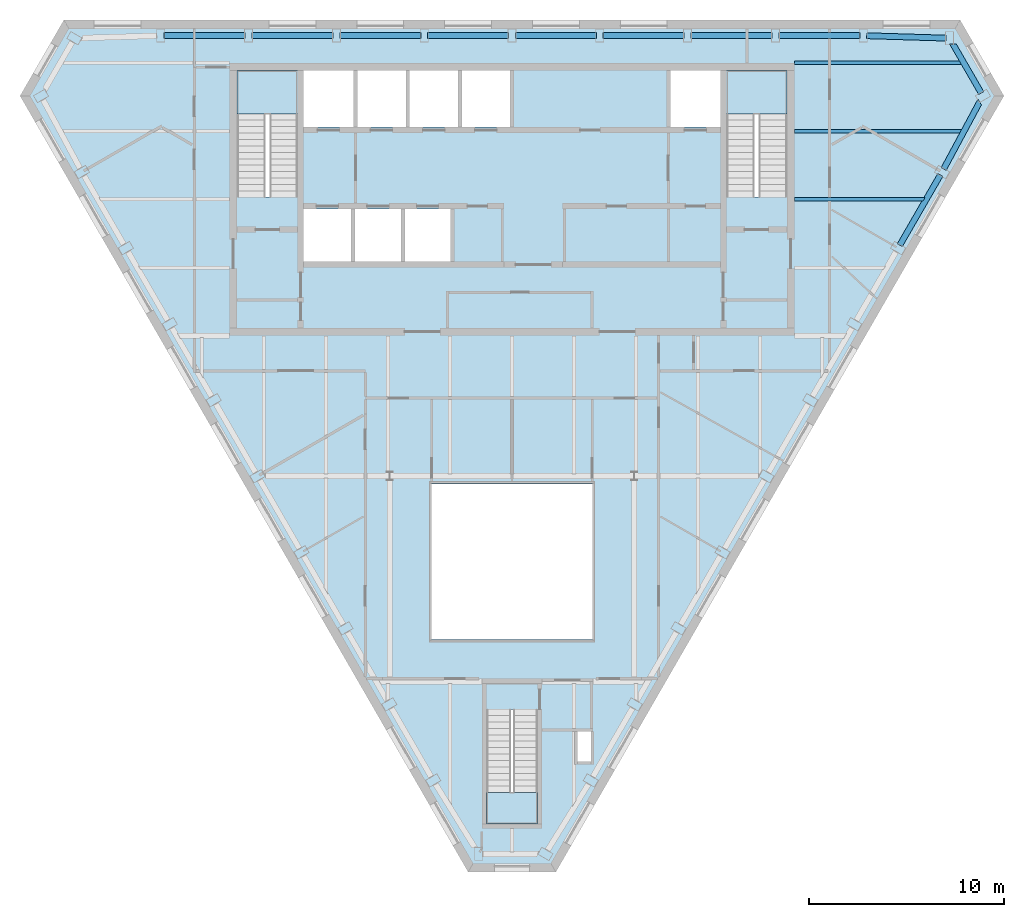
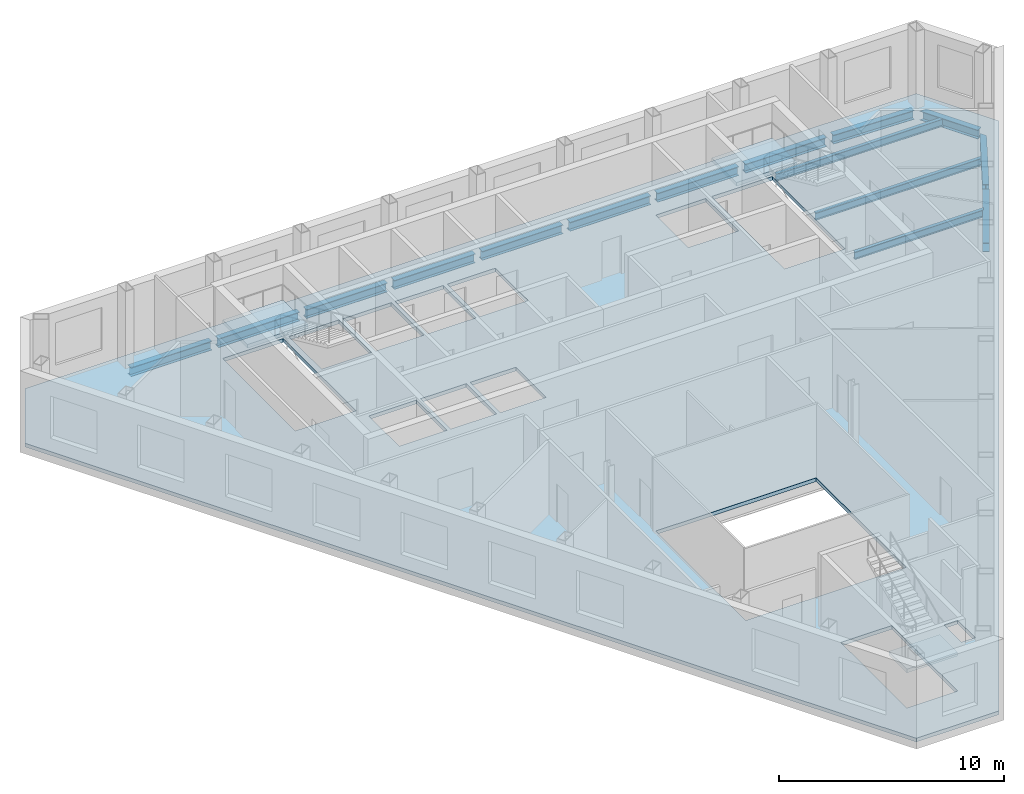
# One storey, part 3 of 11: 15 beams, 4 slabs, 3 elements without a shape of their own.
"""IFC4 building model written with IfcOpenShell, lengths in metres."""

from ifc_helpers import new_model, si_unit, direction, frame, origin, origin_2d, place, context, subcontext, project, spatial, polyline, i_section, outline, extrude, clip, halfspace, material, layer, layer_set, material_profile, profile_set, type_object, element, aggregate, save


model = new_model("IFC4")

# Units and contexts
model_context = context("Model", 3, precision=1e-05, world=origin(), true_north=direction((0.0, 1.0)))
body_context = subcontext(model_context, "Body", "Model", "MODEL_VIEW")
ifc_project = project(units=[si_unit("LENGTHUNIT", "METRE"), si_unit("AREAUNIT", "SQUARE_METRE"), si_unit("VOLUMEUNIT", "CUBIC_METRE"), si_unit("PLANEANGLEUNIT", "RADIAN"), si_unit("MASSUNIT", "GRAM", prefix="KILO")], contexts=[model_context])

# Site, building, storey
site_placement = place(None, origin())
site = spatial("IfcSite", under=ifc_project, at=site_placement, CompositionType="ELEMENT")
building_placement = place(site_placement, origin())
building = spatial("IfcBuilding", under=site, at=building_placement, Name="Njiva Tower", CompositionType="ELEMENT")
storey_placement = place(building_placement, frame((0.0, 0.0, 316.8)))
storey = spatial("IfcBuildingStorey", under=building, at=storey_placement, Name="L72", CompositionType="ELEMENT", Elevation=316.8)

# Beams
ifc_material_1 = material(Name="Steel S355 J2", Category="steel")
ifc_material_profile_1 = material_profile(ifc_material_1, i_section(OverallWidth=0.3, OverallDepth=0.49, WebThickness=0.012, FlangeThickness=0.023, at=origin_2d()), Name="HEA 500")
ifc_profile_set_1 = profile_set([ifc_material_profile_1], Name="Steel S355 J2")
beam_type_1 = type_object("IfcBeamType", Name="B48 Short-span spandrel beam HEA 500", PredefinedType="SPANDREL", material=ifc_profile_set_1)
beam_1_placement = place(storey_placement, frame((22.277, 19.272, -0.445), z_axis=(-0.999544102072, 0.030192515853, 0.0), x_axis=(-0.030192515853, -0.999544102072, 0.0)))
element("IfcBeam", 1, at=beam_1_placement, inside=storey, type_object=beam_type_1, Name="Short-span spandrel beam S24-B114", PredefinedType="SPANDREL", context=body_context, shape_type="SweptSolid", body=[
    extrude(i_section(OverallWidth=0.3, OverallDepth=0.49, WebThickness=0.012, FlangeThickness=0.023, at=origin_2d()), origin(), (0.0, 0.0, 1.0), 4.0739),
])
beam_2_placement = place(storey_placement, frame((17.851, 19.4, -0.445), z_axis=(-1.0, 0.0, 0.0), x_axis=(0.0, -1.0, 0.0)))
element("IfcBeam", 2, at=beam_2_placement, inside=storey, type_object=beam_type_1, Name="Short-span spandrel beam S24-B109", PredefinedType="SPANDREL", context=body_context, shape_type="SweptSolid", body=[
    extrude(i_section(OverallWidth=0.3, OverallDepth=0.49, WebThickness=0.012, FlangeThickness=0.023, at=origin_2d()), origin(), (0.0, 0.0, 1.0), 4.156),
])
beam_3_placement = place(storey_placement, frame((13.345, 19.4, -0.445), z_axis=(-1.0, 0.0, 0.0), x_axis=(0.0, -1.0, 0.0)))
element("IfcBeam", 3, at=beam_3_placement, inside=storey, type_object=beam_type_1, Name="Short-span spandrel beam S24-B104", PredefinedType="SPANDREL", context=body_context, shape_type="SweptSolid", body=[
    extrude(i_section(OverallWidth=0.3, OverallDepth=0.49, WebThickness=0.012, FlangeThickness=0.023, at=origin_2d()), origin(), (0.0, 0.0, 1.0), 4.157),
])
beam_4_placement = place(storey_placement, frame((8.838, 19.4, -0.445), z_axis=(-1.0, 0.0, 0.0), x_axis=(0.0, -1.0, 0.0)))
element("IfcBeam", 4, at=beam_4_placement, inside=storey, type_object=beam_type_1, Name="Short-span spandrel beam S24-B099", PredefinedType="SPANDREL", context=body_context, shape_type="SweptSolid", body=[
    extrude(i_section(OverallWidth=0.3, OverallDepth=0.49, WebThickness=0.012, FlangeThickness=0.023, at=origin_2d()), origin(), (0.0, 0.0, 1.0), 4.156),
])
for number, where, z_axis, x_axis, name in (
    (5, (4.332, 19.4, -0.445), (-1.0, 0.0, 0.0), (0.0, -1.0, 0.0), "Short-span spandrel beam S24-B094"),
    (6, (-0.175, 19.4, -0.445), (-1.0, 0.0, 0.0), (0.0, -1.0, 0.0), "Short-span spandrel beam S24-B089"),
):
    element("IfcBeam", number, at=place(storey_placement, frame(where, z_axis=z_axis, x_axis=x_axis)), inside=storey, type_object=beam_type_1, Name=name, PredefinedType="SPANDREL", context=body_context, shape_type="SweptSolid", body=[
        extrude(i_section(OverallWidth=0.3, OverallDepth=0.49, WebThickness=0.012, FlangeThickness=0.023, at=origin_2d()), origin(), (0.0, 0.0, 1.0), 4.157),
    ])
beam_5_placement = place(storey_placement, frame((-4.682, 19.4, -0.445), z_axis=(-1.0, 0.0, 0.0), x_axis=(0.0, -1.0, 0.0)))
element("IfcBeam", 7, at=beam_5_placement, inside=storey, type_object=beam_type_1, Name="Short-span spandrel beam S24-B084", PredefinedType="SPANDREL", context=body_context, shape_type="SweptSolid", body=[
    extrude(i_section(OverallWidth=0.3, OverallDepth=0.49, WebThickness=0.012, FlangeThickness=0.023, at=origin_2d()), origin(), (0.0, 0.0, 1.0), 4.156),
])
beam_6_placement = place(storey_placement, frame((-9.188, 19.4, -0.445), z_axis=(-1.0, 0.0, 0.0), x_axis=(0.0, -1.0, 0.0)))
element("IfcBeam", 8, at=beam_6_placement, inside=storey, type_object=beam_type_1, Name="Short-span spandrel beam S24-B079", PredefinedType="SPANDREL", context=body_context, shape_type="SweptSolid", body=[
    extrude(i_section(OverallWidth=0.3, OverallDepth=0.49, WebThickness=0.012, FlangeThickness=0.023, at=origin_2d()), origin(), (0.0, 0.0, 1.0), 4.157),
])
beam_7_placement = place(storey_placement, frame((-13.695, 19.4, -0.445), z_axis=(-1.0, 0.0, 0.0), x_axis=(0.0, -1.0, 0.0)))
element("IfcBeam", 9, at=beam_7_placement, inside=storey, type_object=beam_type_1, Name="Short-span spandrel beam S24-B074", PredefinedType="SPANDREL", context=body_context, shape_type="SweptSolid", body=[
    extrude(i_section(OverallWidth=0.3, OverallDepth=0.49, WebThickness=0.012, FlangeThickness=0.023, at=origin_2d()), origin(), (0.0, 0.0, 1.0), 4.156),
])
beam_8_placement = place(storey_placement, frame((19.902, 8.649, -0.445), z_axis=(0.499916824138, 0.866073420066, 0.0), x_axis=(-0.866073420066, 0.499916824138, 0.0)))
element("IfcBeam", 10, at=beam_8_placement, inside=storey, type_object=beam_type_1, Name="Short-span spandrel beam S24-B116", PredefinedType="SPANDREL", context=body_context, shape_type="SweptSolid", body=[
    extrude(i_section(OverallWidth=0.3, OverallDepth=0.49, WebThickness=0.012, FlangeThickness=0.023, at=origin_2d()), origin(), (0.0, 0.0, 1.0), 4.1567),
])
beam_9_placement = place(storey_placement, frame((22.153, 12.558, -0.445), z_axis=(0.473778736284, 0.880643917282, 0.0), x_axis=(-0.880643917282, 0.473778736284, 0.0)))
element("IfcBeam", 11, at=beam_9_placement, inside=storey, type_object=beam_type_1, Name="Short-span spandrel beam S24-B118", PredefinedType="SPANDREL", context=body_context, shape_type="Clipping", body=[
    clip(extrude(i_section(OverallWidth=0.3, OverallDepth=0.49, WebThickness=0.012, FlangeThickness=0.023, at=origin_2d()), origin(), (0.0, 0.0, 1.0), 4.0136), halfspace(frame((-0.0262, 0.0, 3.884), z_axis=(-0.525772590734, 0.0, 0.850625171761), x_axis=(0.0, 1.0, 0.0)), False)),
])
beam_10_placement = place(storey_placement, frame((24.08, 16.454, -0.445), z_axis=(-0.500030697692, 0.866007679738, 0.0), x_axis=(-0.866007679738, -0.500030697692, 0.0)))
element("IfcBeam", 12, at=beam_10_placement, inside=storey, type_object=beam_type_1, Name="Short-span spandrel beam S24-B119", PredefinedType="SPANDREL", context=body_context, shape_type="Clipping", body=[
    clip(extrude(i_section(OverallWidth=0.3, OverallDepth=0.49, WebThickness=0.012, FlangeThickness=0.023, at=origin_2d()), origin(), (0.0, 0.0, 1.0), 3.0088), halfspace(frame((-0.0254, 0.0, 2.8872), z_axis=(-0.500030697692, 0.0, 0.866007679738), x_axis=(0.0, 1.0, 0.0)), False)),
])
ifc_material_profile_2 = material_profile(ifc_material_1, i_section(OverallWidth=0.18, OverallDepth=0.4, WebThickness=0.0086, FlangeThickness=0.0135, at=origin_2d()), Name="IPE 400")
ifc_profile_set_2 = profile_set([ifc_material_profile_2], Name="Steel S355 J2")
beam_type_2 = type_object("IfcBeamType", Name="B51 Floor beam to the core IPE 400", PredefinedType="BEAM", material=ifc_profile_set_2)
beam_11_placement = place(storey_placement, frame((14.5, 11.0, -0.4), z_axis=(1.0, 0.0, 0.0), x_axis=(0.0, 1.0, 0.0)))
element("IfcBeam", 13, at=beam_11_placement, inside=storey, type_object=beam_type_2, Name="Floor beam to the core S24-B006", PredefinedType="BEAM", context=body_context, shape_type="Clipping", body=[
    clip(extrude(i_section(OverallWidth=0.18, OverallDepth=0.4, WebThickness=0.0086, FlangeThickness=0.0135, at=origin_2d()), origin(), (0.0, 0.0, 1.0), 6.716), halfspace(frame((-0.025, 0.0, 6.6297), z_axis=(-0.499998009787, 0.0, 0.866026552831), x_axis=(0.0, 1.0, 0.0)), False)),
])
beam_12_placement = place(storey_placement, frame((14.5, 14.5, -0.4), z_axis=(1.0, 0.0, 0.0), x_axis=(0.0, 1.0, 0.0)))
element("IfcBeam", 14, at=beam_12_placement, inside=storey, type_object=beam_type_2, Name="Floor beam to the core S24-B007", PredefinedType="BEAM", context=body_context, shape_type="Clipping", body=[
    clip(extrude(i_section(OverallWidth=0.18, OverallDepth=0.4, WebThickness=0.0086, FlangeThickness=0.0135, at=origin_2d()), origin(), (0.0, 0.0, 1.0), 8.652), halfspace(frame((-0.0237, 0.0, 8.5713), z_axis=(-0.47376166762, 0.0, 0.88065309986), x_axis=(0.0, 1.0, 0.0)), False)),
])
beam_13_placement = place(storey_placement, frame((14.5, 18.0, -0.4), z_axis=(1.0, 0.0, 0.0), x_axis=(0.0, 1.0, 0.0)))
element("IfcBeam", 15, at=beam_13_placement, inside=storey, type_object=beam_type_2, Name="Floor beam to the core S24-B008", PredefinedType="BEAM", context=body_context, shape_type="Clipping", body=[
    clip(extrude(i_section(OverallWidth=0.18, OverallDepth=0.4, WebThickness=0.0086, FlangeThickness=0.0135, at=origin_2d()), origin(), (0.0, 0.0, 1.0), 8.644), halfspace(frame((0.025, 0.0, 8.5578), z_axis=(0.499998009787, 0.0, 0.866026552831), x_axis=(0.0, 1.0, 0.0)), False)),
])

# Stair, slab
ifc_material_2 = material(Name="Concrete C40/50", Category="concrete")
stair_type_1 = type_object("IfcStairType", Name="ST3 Exit stair 1450", PredefinedType="HALF_TURN_STAIR", material=ifc_material_2)
stair_1_placement = place(storey_placement, origin())
stair_1 = element("IfcStair", 16, at=stair_1_placement, inside=storey, type_object=stair_type_1, Name="Stair A", PredefinedType="HALF_TURN_STAIR")
ifc_layer_1 = layer(ifc_material_2, 0.2)
ifc_layer_set_1 = layer_set([ifc_layer_1], Name="Concrete C40/50")
slab_type_1 = type_object("IfcSlabType", Name="FL9 Stair landing 200", PredefinedType="LANDING", material=ifc_layer_set_1)
slab_1_placement = place(storey_placement, frame((0.0, 0.0, 1.9)))
slab_1 = element("IfcSlab", 17, at=slab_1_placement, type_object=slab_type_1, Name="ST-A landing 1", PredefinedType="LANDING", context=body_context, shape_type="SweptSolid", body=[
    extrude(outline(polyline([(-14.106, 15.39), (-10.994, 15.39), (-10.994, 17.6), (-14.106, 17.6), (-14.106, 15.39)])), origin(), (0.0, 0.0, 1.0), 0.2),
])
aggregate(stair_1, [slab_1])

stair_2_placement = place(storey_placement, origin())
stair_2 = element("IfcStair", 18, at=stair_2_placement, inside=storey, type_object=stair_type_1, Name="Stair B", PredefinedType="HALF_TURN_STAIR")
slab_2_placement = place(storey_placement, frame((0.0, 0.0, 1.9)))
slab_2 = element("IfcSlab", 19, at=slab_2_placement, type_object=slab_type_1, Name="ST-B landing 1", PredefinedType="LANDING", context=body_context, shape_type="SweptSolid", body=[
    extrude(outline(polyline([(10.994, 15.39), (14.106, 15.39), (14.106, 17.6), (10.994, 17.6), (10.994, 15.39)])), origin(), (0.0, 0.0, 1.0), 0.2),
])
aggregate(stair_2, [slab_2])

stair_type_2 = type_object("IfcStairType", Name="ST1 Exit stair 1250", PredefinedType="HALF_TURN_STAIR", material=ifc_material_2)
stair_3_placement = place(storey_placement, origin())
stair_3 = element("IfcStair", 20, at=stair_3_placement, inside=storey, type_object=stair_type_2, Name="Stair C", PredefinedType="HALF_TURN_STAIR")
slab_3_placement = place(storey_placement, frame((0.0, 0.0, 1.9)))
slab_3 = element("IfcSlab", 21, at=slab_3_placement, type_object=slab_type_1, Name="ST-C landing 1", PredefinedType="LANDING", context=body_context, shape_type="SweptSolid", body=[
    extrude(outline(polyline([(-1.306, -21.05), (1.306, -21.05), (1.306, -19.45), (-1.306, -19.45), (-1.306, -21.05)])), origin(), (0.0, 0.0, 1.0), 0.2),
])
aggregate(stair_3, [slab_3])

# Slab
ifc_material_3 = material(Name="Concrete C30/37", Category="concrete")
ifc_layer_2 = layer(ifc_material_3, 0.2)
ifc_layer_set_2 = layer_set([ifc_layer_2], Name="Concrete C30/37")
slab_type_2 = type_object("IfcSlabType", Name="SL16 Composite floor slab 200", PredefinedType="FLOOR", material=ifc_layer_set_2)
slab_4_placement = place(storey_placement, frame((0.0, 0.0, -0.2)))
element("IfcSlab", 22, at=slab_4_placement, inside=storey, type_object=slab_type_2, Name="Floor slab L72", PredefinedType="FLOOR", context=body_context, shape_type="SweptSolid", body=[
    extrude(outline(polyline([(24.9852, 16.3029), (2.1201, -23.3006), (-2.1201, -23.3006), (-24.9852, 16.3029), (-22.8651, 19.975), (22.8651, 19.975), (24.9852, 16.3029)]), holes=[polyline([(10.994, 11.13), (14.106, 11.13), (14.106, 17.6), (10.994, 17.6), (10.994, 11.13)]), polyline([(8.125, 14.7), (10.7, 14.7), (10.7, 17.6), (8.125, 17.6), (8.125, 14.7)]), polyline([(4.12, -11.6), (4.12, -3.6), (-4.12, -3.6), (-4.12, -11.6), (4.12, -11.6)]), polyline([(3.35, -17.85), (4.05, -17.85), (4.05, -16.3), (3.35, -16.3), (3.35, -17.85)]), polyline([(-1.306, -21.05), (1.306, -21.05), (1.306, -15.19), (-1.306, -15.19), (-1.306, -21.05)]), polyline([(-2.575, 14.7), (-0.1, 14.7), (-0.1, 17.6), (-2.575, 17.6), (-2.575, 14.7)]), polyline([(-2.775, 14.7), (-2.775, 17.6), (-5.25, 17.6), (-5.25, 14.7), (-2.775, 14.7)]), polyline([(-5.5, 7.8), (-3.15, 7.8), (-3.15, 10.5), (-5.5, 10.5), (-5.5, 7.8)]), polyline([(-7.925, 14.7), (-5.45, 14.7), (-5.45, 17.6), (-7.925, 17.6), (-7.925, 14.7)]), polyline([(-8.05, 7.8), (-5.7, 7.8), (-5.7, 10.5), (-8.05, 10.5), (-8.05, 7.8)]), polyline([(-10.7, 14.7), (-8.125, 14.7), (-8.125, 17.6), (-10.7, 17.6), (-10.7, 14.7)]), polyline([(-8.25, 7.8), (-8.25, 10.5), (-10.7, 10.5), (-10.7, 7.8), (-8.25, 7.8)]), polyline([(-10.994, 11.13), (-10.994, 17.6), (-14.106, 17.6), (-14.106, 11.13), (-10.994, 11.13)])]), origin(), (0.0, 0.0, 1.0), 0.2),
])

save(model, "model.ifc")
